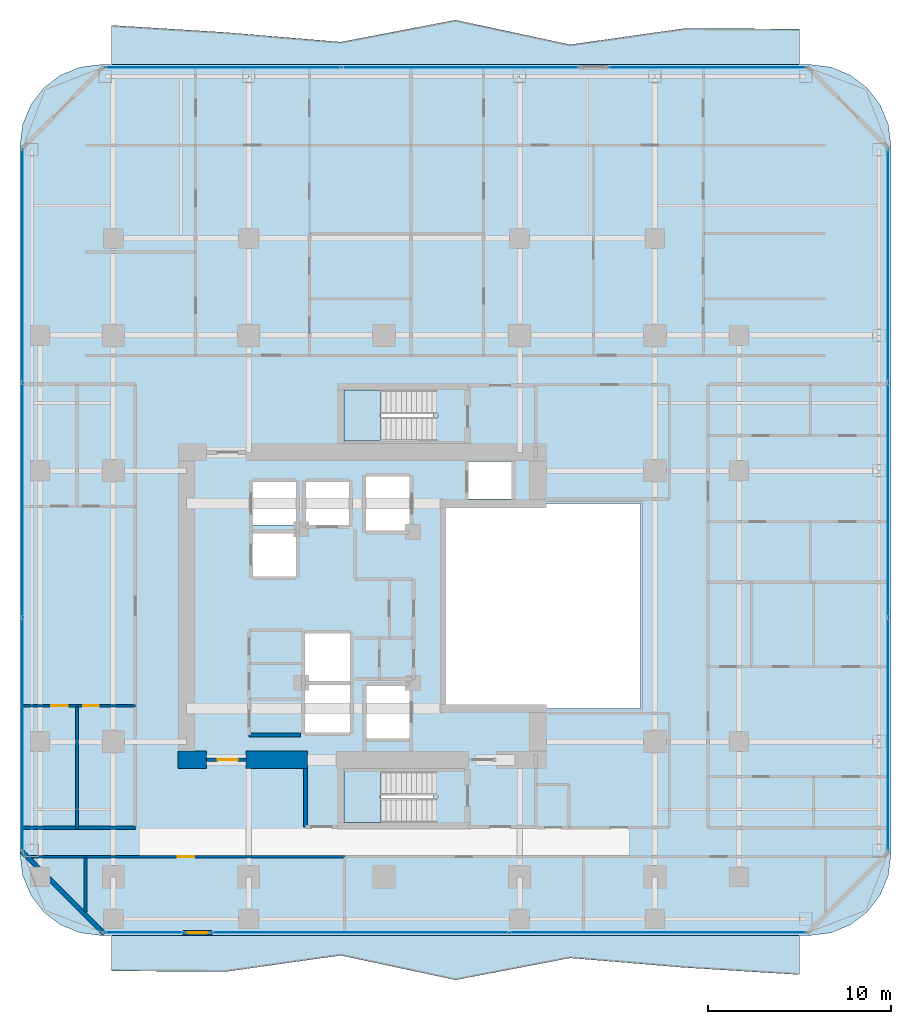
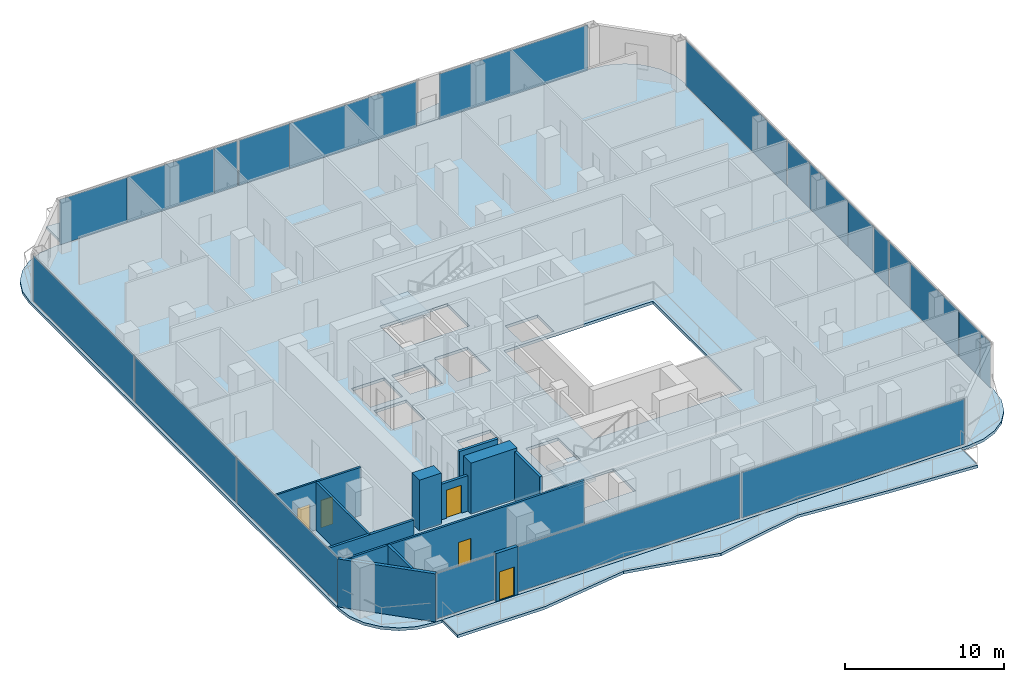
# One storey, part 19 of 27: 21 plates, 13 walls, 5 doors, 5 slabs, 5 openings, 8 elements without a shape of their own.
"""IFC4 building model written with IfcOpenShell, lengths in metres."""

import ifcopenshell
import ifcopenshell.guid

model = None  # the IFC model being written
_history = None  # IfcOwnerHistory: only IFC2X3 demands one
_inside = {}  # id of a spatial element -> (the spatial element, [elements in it])
_under = {}  # id of a project, library or spatial element -> (it, [spatial elements below it])
_declared = {}  # id of a project -> (the project, [libraries it declares])
_typed = {}  # id of a type object -> (the type object, [elements of that type])
_made_of = {}  # id of a material, layer set ... -> (it, [elements and type objects made of it])


def new_model(schema):
    """Start an empty IFC model of exactly this schema.

    Asked for "IFC4X3", IfcOpenShell would pick the latest addendum, in which some entities
    have other attributes; the version numbers below select the first issue.
    IFC2X3 requires an IfcOwnerHistory on every rooted entity: one is made here for all.
    """
    global model, _history
    if schema == "IFC4X3":
        model = ifcopenshell.file(schema_version=(4, 3, 0, 0))
    else:
        model = ifcopenshell.file(schema=schema)
    _inside.clear()
    _under.clear()
    _declared.clear()
    _typed.clear()
    _made_of.clear()
    _history = None
    if model.schema == "IFC2X3":
        org = make("IfcOrganization", Name="unknown")
        user = make(
            "IfcPersonAndOrganization",
            ThePerson=make("IfcPerson", FamilyName="unknown"),
            TheOrganization=org,
        )
        app = make(
            "IfcApplication",
            ApplicationDeveloper=org,
            Version="unknown",
            ApplicationFullName="unknown",
            ApplicationIdentifier="unknown",
        )
        _history = make(
            "IfcOwnerHistory",
            OwningUser=user,
            OwningApplication=app,
            ChangeAction="ADDED",
            CreationDate=0,
        )
    return model


def make(cls, **values):
    """One entity of the class cls with the attributes given. An attribute that is None is left unset."""
    return model.create_entity(
        cls, **{name: value for name, value in values.items() if value is not None}
    )


def rooted(cls, **values):
    """An entity with a GlobalId (a new one), such as an element, a storey or a relation."""
    return make(cls, GlobalId=ifcopenshell.guid.new(), OwnerHistory=_history, **values)


def si_unit(unit_type, name, prefix=None):
    """IfcSIUnit, for example si_unit("LENGTHUNIT", "METRE", prefix="MILLI")."""
    return make("IfcSIUnit", UnitType=unit_type, Prefix=prefix, Name=name)


def assignment(units):
    """IfcUnitAssignment: the units of a project."""
    return None if units is None else make("IfcUnitAssignment", Units=units)


def point(xyz):
    """IfcCartesianPoint."""
    return None if xyz is None else make("IfcCartesianPoint", Coordinates=xyz)


def direction(xyz):
    """IfcDirection."""
    return None if xyz is None else make("IfcDirection", DirectionRatios=xyz)


def frame(location, z_axis=None, x_axis=None):
    """IfcAxis2Placement3D, a coordinate frame: its origin and axes. An axis left out is left unset."""
    return make(
        "IfcAxis2Placement3D",
        Location=point(location),
        Axis=direction(z_axis),
        RefDirection=direction(x_axis),
    )


def frame_2d(location, x_axis=None):
    """IfcAxis2Placement2D, a coordinate frame in the plane: its origin and x axis."""
    return make(
        "IfcAxis2Placement2D", Location=point(location), RefDirection=direction(x_axis)
    )


def origin():
    """The frame at (0, 0, 0) with its axes left unset."""
    return frame((0.0, 0.0, 0.0))


def origin_2d():
    """The frame at (0, 0) in the plane with its x axis left unset."""
    return frame_2d((0.0, 0.0))


def place(relative_to, where):
    """IfcLocalPlacement: puts the frame where relative to a parent placement (None: the world)."""
    return make(
        "IfcLocalPlacement", PlacementRelTo=relative_to, RelativePlacement=where
    )


def context(
    kind, dimensions, precision=None, world=None, true_north=None, identifier=None
):
    """IfcGeometricRepresentationContext, for example the 3D "Model" context."""
    return make(
        "IfcGeometricRepresentationContext",
        ContextIdentifier=identifier,
        ContextType=kind,
        CoordinateSpaceDimension=dimensions,
        Precision=precision,
        WorldCoordinateSystem=world,
        TrueNorth=true_north,
    )


def subcontext(parent, identifier, kind, view, scale=None):
    """IfcGeometricRepresentationSubContext, for example "Body" below "Model"."""
    return make(
        "IfcGeometricRepresentationSubContext",
        ContextIdentifier=identifier,
        ContextType=kind,
        ParentContext=parent,
        TargetScale=scale,
        TargetView=view,
    )


def project(units=None, contexts=None):
    """IfcProject with its units and contexts."""
    return rooted(
        "IfcProject",
        Name="project",
        RepresentationContexts=contexts,
        UnitsInContext=assignment(units),
    )


def spatial(cls, under=None, at=None, **own):
    """A site, building, storey or space (cls), placed at a placement, below another one or the project."""
    s = rooted(cls, ObjectPlacement=at, **own)
    if under is not None:
        _under.setdefault(under.id(), (under, []))[1].append(s)
    return s


def polyline(points):
    """IfcPolyline through the points."""
    return make("IfcPolyline", Points=[point(p) for p in points])


def profile(cls, at=None, kind="AREA", **sizes):
    """A parametric profile (cls). Its sizes go by their IFC names, for example OverallWidth=200.0."""
    return make(cls, ProfileType=kind, Position=at, **sizes)


def rectangle(**sizes):
    """IfcRectangleProfileDef."""
    return profile("IfcRectangleProfileDef", **sizes)


def outline(outer, holes=None, kind="AREA"):
    """IfcArbitraryClosedProfileDef: a profile drawn as a closed curve; with holes, ...WithVoids."""
    if holes is None:
        return make("IfcArbitraryClosedProfileDef", ProfileType=kind, OuterCurve=outer)
    return make(
        "IfcArbitraryProfileDefWithVoids",
        ProfileType=kind,
        OuterCurve=outer,
        InnerCurves=holes,
    )


def extrude(swept, where, along, depth):
    """IfcExtrudedAreaSolid: the profile swept, set in the frame where, extruded along a direction by depth."""
    return make(
        "IfcExtrudedAreaSolid",
        SweptArea=swept,
        Position=where,
        ExtrudedDirection=direction(along),
        Depth=depth,
    )


def shape(context_of_items, identifier, shape_type, items):
    """IfcShapeRepresentation: the items that make up one representation, for example the "Body"."""
    return make(
        "IfcShapeRepresentation",
        ContextOfItems=context_of_items,
        RepresentationIdentifier=identifier,
        RepresentationType=shape_type,
        Items=items,
    )


def material(Name=None, Category=None):
    """IfcMaterial."""
    return make("IfcMaterial", Name=Name, Category=Category)


def layer(
    of_material, thickness, ventilated=None, Name=None, Category=None, Priority=None
):
    """IfcMaterialLayer: one layer of a wall or slab, of a material (None: an air gap)."""
    return make(
        "IfcMaterialLayer",
        Material=of_material,
        LayerThickness=thickness,
        IsVentilated=ventilated,
        Name=Name,
        Category=Category,
        Priority=Priority,
    )


def layer_set(layers, Name=None):
    """IfcMaterialLayerSet."""
    return make("IfcMaterialLayerSet", MaterialLayers=layers, LayerSetName=Name)


def made_of(thing, what):
    """Note that an element or type object is made of a material, layer set ...; save() writes the relation."""
    if what is not None:
        _made_of.setdefault(what.id(), (what, []))[1].append(thing)
    return thing


def type_object(cls, material=None, **own):
    """A type object (cls), such as IfcWallType, which elements share."""
    return made_of(rooted(cls, **own), material)


def element(
    cls,
    number,
    at=None,
    inside=None,
    cuts=None,
    type_object=None,
    material=None,
    context=None,
    identifier="Body",
    shape_type=None,
    held_by="IfcProductDefinitionShape",
    body=None,
    shapes=None,
    **own,
):
    """One element of the class cls, such as IfcWall. Its Tag is "e" and its number.

    at: its placement. inside: the storey or other place that contains it. cuts: it is an
    opening in that element (IfcRelVoidsElement). A single representation is given by context,
    identifier, shape_type and body (its items); several are given by shapes. held_by: the class
    of the entity that holds the representations. save() writes the other relations.
    """
    e = rooted(cls, Tag="e%d" % number, ObjectPlacement=at, **own)
    if body is not None:
        shapes = [shape(context, identifier, shape_type, body)]
    if shapes is not None:
        e.Representation = make(held_by, Representations=shapes)
    if inside is not None:
        _inside.setdefault(inside.id(), (inside, []))[1].append(e)
    if cuts is not None:
        rooted(
            "IfcRelVoidsElement", RelatingBuildingElement=cuts, RelatedOpeningElement=e
        )
    if type_object is not None:
        _typed.setdefault(type_object.id(), (type_object, []))[1].append(e)
    return made_of(e, material)


def fill(opening, filler):
    """IfcRelFillsElement: the door or window that sits in an opening."""
    return rooted(
        "IfcRelFillsElement",
        RelatingOpeningElement=opening,
        RelatedBuildingElement=filler,
    )


def aggregate(whole, parts):
    """IfcRelAggregates: a whole, such as a stair, and the parts it consists of."""
    return rooted("IfcRelAggregates", RelatingObject=whole, RelatedObjects=parts)


def save(model, path):
    """Write the relations noted so far, then the file.

    IfcRelAggregates (storeys below a building ...), IfcRelContainedInSpatialStructure (elements
    in a storey), IfcRelDefinesByType, IfcRelAssociatesMaterial and IfcRelDeclares: one each for
    every whole, place, type object, material and project.
    """
    for whole, parts in _under.values():
        aggregate(whole, parts)
    for where, things in _inside.values():
        rooted(
            "IfcRelContainedInSpatialStructure",
            RelatedElements=things,
            RelatingStructure=where,
        )
    for kind, things in _typed.values():
        rooted("IfcRelDefinesByType", RelatedObjects=things, RelatingType=kind)
    for what, things in _made_of.values():
        rooted("IfcRelAssociatesMaterial", RelatedObjects=things, RelatingMaterial=what)
    for by, libraries in _declared.values():
        rooted("IfcRelDeclares", RelatingContext=by, RelatedDefinitions=libraries)
    model.write(path)


model = new_model("IFC4")

# Units and contexts
model_context = context("Model", 3, precision=1e-05, world=origin(), true_north=direction((0.0, 1.0)))
body_context = subcontext(model_context, "Body", "Model", "MODEL_VIEW")
ifc_project = project(units=[si_unit("LENGTHUNIT", "METRE"), si_unit("AREAUNIT", "SQUARE_METRE"), si_unit("VOLUMEUNIT", "CUBIC_METRE"), si_unit("PLANEANGLEUNIT", "RADIAN"), si_unit("MASSUNIT", "GRAM", prefix="KILO")], contexts=[model_context])

# Site, building, storey
site_placement = place(None, origin())
site = spatial("IfcSite", under=ifc_project, at=site_placement, CompositionType="ELEMENT")
building_placement = place(site_placement, origin())
building = spatial("IfcBuilding", under=site, at=building_placement, Name="Khorvyn Point Tower", CompositionType="ELEMENT")
storey_placement = place(building_placement, frame((0.0, 0.0, 125.10009765625)))
storey = spatial("IfcBuildingStorey", under=building, at=storey_placement, Name="L31", CompositionType="ELEMENT", Elevation=125.10009765625)

# Slabs
ifc_material_1 = material(Name="Concrete C35/45", Category="concrete")
ifc_layer_1 = layer(ifc_material_1, 0.219970703125)
ifc_layer_set_1 = layer_set([ifc_layer_1], Name="Concrete C35/45 Structural Floor Slab 220")
slab_type_1 = type_object("IfcSlabType", Name="Concrete C35/45 Structural Floor Slab 220", PredefinedType="FLOOR", material=ifc_layer_set_1)
slab_1_placement = place(storey_placement, frame((0.0, 0.0, -0.22021484375)))
element("IfcSlab", 1, at=slab_1_placement, inside=storey, type_object=slab_type_1, Name="L31 Main Structural Floor Slab", PredefinedType="FLOOR", context=body_context, shape_type="SweptSolid", body=[
    extrude(outline(polyline([(-15.5, -18.0), (-16.638916015625, -17.85009765625), (-17.699951171875, -17.410400390625), (-18.611328125, -16.711181640625), (-19.310546875, -15.800048828125), (-19.75, -14.73876953125), (-19.89990234375, -13.60009765625), (-19.89990234375, 25.199951171875), (-19.75, 26.3388671875), (-19.310546875, 27.39990234375), (-18.611328125, 28.311279296875), (-17.699951171875, 29.010498046875), (-16.638916015625, 29.4501953125), (-15.5, 29.60009765625), (23.300048828125, 29.60009765625), (24.438720703125, 29.4501953125), (25.5, 29.010498046875), (26.411376953125, 28.311279296875), (27.110595703125, 27.39990234375), (27.550048828125, 26.3388671875), (27.699951171875, 25.199951171875), (27.699951171875, -13.60009765625), (27.550048828125, -14.73876953125), (27.110595703125, -15.800048828125), (26.411376953125, -16.711181640625), (25.5, -17.410400390625), (24.438720703125, -17.85009765625), (23.300048828125, -18.0), (-15.5, -18.0)]), holes=[polyline([(-1.875, -6.89990234375), (-1.875, -4.300048828125), (-4.324951171875, -4.300048828125), (-4.324951171875, -6.89990234375), (-1.875, -6.89990234375)]), polyline([(-1.875, -4.10009765625), (-1.875, -1.5), (-4.324951171875, -1.5), (-4.324951171875, -4.10009765625), (-1.875, -4.10009765625)]), polyline([(-4.824951171875, 1.625), (-4.824951171875, 3.97509765625), (-7.175048828125, 3.97509765625), (-7.175048828125, 1.625), (-4.824951171875, 1.625)]), polyline([(-7.175048828125, 4.425048828125), (-4.824951171875, 4.425048828125), (-4.824951171875, 6.77490234375), (-7.175048828125, 6.77490234375), (-7.175048828125, 4.425048828125)]), polyline([(-4.27490234375, 4.425048828125), (-1.925048828125, 4.425048828125), (-1.925048828125, 6.77490234375), (-4.27490234375, 6.77490234375), (-4.27490234375, 4.425048828125)]), polyline([(1.39990234375, 4.125), (1.39990234375, 7.074951171875), (-1.0, 7.074951171875), (-1.0, 4.125), (1.39990234375, 4.125)]), polyline([(-2.199951171875, -11.820068359375), (2.679931640625, -11.820068359375), (2.679931640625, -9.02001953125), (-2.199951171875, -9.02001953125), (-2.199951171875, -11.820068359375)]), polyline([(-0.97509765625, -7.22509765625), (1.375, -7.22509765625), (1.375, -4.375), (-0.97509765625, -4.375), (-0.97509765625, -7.22509765625)]), polyline([(14.0, -5.60009765625), (14.0, 5.60009765625), (3.199951171875, 5.60009765625), (3.199951171875, -5.60009765625), (14.0, -5.60009765625)]), polyline([(4.625, 5.85009765625), (6.97509765625, 5.85009765625), (6.97509765625, 7.905029296875), (4.625, 7.905029296875), (4.625, 5.85009765625)]), polyline([(-2.199951171875, 9.02001953125), (2.679931640625, 9.02001953125), (2.679931640625, 11.820068359375), (-2.199951171875, 11.820068359375), (-2.199951171875, 9.02001953125)])]), origin(), (0.0, 0.0, 1.0), 0.22021484375),
])
ifc_material_2 = material(Name="Concrete C40/50", Category="concrete")
ifc_layer_2 = layer(ifc_material_2, 0.2099609375)
ifc_layer_set_2 = layer_set([ifc_layer_2], Name="Concrete C40/50 Rippling Balcony Slab 210")
slab_type_2 = type_object("IfcSlabType", Name="Concrete C40/50 Rippling Balcony Slab 210", PredefinedType="USERDEFINED", material=ifc_layer_set_2)
slab_2_placement = place(storey_placement, frame((0.0, 0.0, -0.210205078125)))
element("IfcSlab", 2, at=slab_2_placement, inside=storey, type_object=slab_type_2, Name="L31 North Sinusoidal Rippling Balcony", ObjectType="BALCONY", PredefinedType="USERDEFINED", context=body_context, shape_type="SweptSolid", body=[
    extrude(outline(polyline([(22.699951171875, 29.60009765625), (22.699951171875, 31.54150390625), (16.433349609375, 31.577392578125), (10.166748046875, 30.689697265625), (3.89990234375, 32.03369140625), (-2.36669921875, 30.83251953125), (-8.63330078125, 31.35546875), (-14.89990234375, 31.74365234375), (-14.89990234375, 29.60009765625), (22.699951171875, 29.60009765625)])), origin(), (0.0, 0.0, 1.0), 0.210205078125),
])
slab_3_placement = place(storey_placement, frame((0.0, 0.0, -0.210205078125)))
element("IfcSlab", 3, at=slab_3_placement, inside=storey, type_object=slab_type_2, Name="L31 South Sinusoidal Rippling Balcony", ObjectType="BALCONY", PredefinedType="USERDEFINED", context=body_context, shape_type="SweptSolid", body=[
    extrude(outline(polyline([(-14.89990234375, -18.0), (-14.89990234375, -19.94140625), (-8.63330078125, -19.977294921875), (-2.36669921875, -19.089599609375), (3.89990234375, -20.43359375), (10.166748046875, -19.232421875), (16.433349609375, -19.75537109375), (22.699951171875, -20.1435546875), (22.699951171875, -18.0), (-14.89990234375, -18.0)])), origin(), (0.0, 0.0, 1.0), 0.210205078125),
])

# Stair, slab
stair_type = type_object("IfcStairType", Name="Tower Concrete C40/50 Dogleg Exit Stair", PredefinedType="HALF_TURN_STAIR", material=ifc_material_2)
stair_1_placement = place(storey_placement, origin())
stair_1 = element("IfcStair", 4, at=stair_1_placement, inside=storey, type_object=stair_type, Name="L31 Tower Smokeproof Exit Stair South", PredefinedType="HALF_TURN_STAIR")
ifc_layer_3 = layer(ifc_material_2, 0.199951171875)
ifc_layer_set_3 = layer_set([ifc_layer_3], Name="Concrete C40/50 Stair Landing Slab 200")
slab_type_3 = type_object("IfcSlabType", Name="Concrete C40/50 Stair Landing Slab 200", PredefinedType="LANDING", material=ifc_layer_set_3)
slab_4_placement = place(storey_placement, frame((0.0, 0.0, 1.75)))
slab_4 = element("IfcSlab", 5, at=slab_4_placement, type_object=slab_type_3, Name="ST-01 landing 1", PredefinedType="LANDING", context=body_context, shape_type="SweptSolid", body=[
    extrude(outline(polyline([(-0.179931640625, -9.02001953125), (-2.199951171875, -9.02001953125), (-2.199951171875, -11.820068359375), (-0.179931640625, -11.820068359375), (-0.179931640625, -9.02001953125)])), origin(), (0.0, 0.0, 1.0), 0.199951171875),
])
aggregate(stair_1, [slab_4])

stair_2_placement = place(storey_placement, origin())
stair_2 = element("IfcStair", 6, at=stair_2_placement, inside=storey, type_object=stair_type, Name="L31 Tower Smokeproof Exit Stair North", PredefinedType="HALF_TURN_STAIR")
slab_5_placement = place(storey_placement, frame((0.0, 0.0, 1.75)))
slab_5 = element("IfcSlab", 7, at=slab_5_placement, type_object=slab_type_3, Name="ST-02 landing 1", PredefinedType="LANDING", context=body_context, shape_type="SweptSolid", body=[
    extrude(outline(polyline([(-0.179931640625, 11.820068359375), (-2.199951171875, 11.820068359375), (-2.199951171875, 9.02001953125), (-0.179931640625, 9.02001953125), (-0.179931640625, 11.820068359375)])), origin(), (0.0, 0.0, 1.0), 0.199951171875),
])
aggregate(stair_2, [slab_5])

# Curtain wall, plates
ifc_material_3 = material(Name="Anodised aluminium 6063-T6 and laminated Low-E glass", Category="aluminium")
ifc_layer_4 = layer(ifc_material_3, 0.18994140625)
ifc_layer_set_4 = layer_set([ifc_layer_4], Name="Stick-Built Acoustic Curtain Wall CW-SYS-03")
curtain_wall_type = type_object("IfcCurtainWallType", Name="Stick-Built Acoustic Curtain Wall CW-SYS-03", PredefinedType="NOTDEFINED", material=ifc_layer_set_4)
curtain_wall_1_placement = place(storey_placement, origin())
curtain_wall_1 = element("IfcCurtainWall", 8, at=curtain_wall_1_placement, inside=storey, type_object=curtain_wall_type, Name="Curtain Wall", PredefinedType="NOTDEFINED")
ifc_material_4 = material(Name="Laminated Low-E insulated glass", Category="glass")
ifc_layer_5 = layer(ifc_material_4, 0.028076171875)
ifc_layer_set_5 = layer_set([ifc_layer_5], Name="Tempered Low-E Vision Glazing Panel CW-GL28")
plate_type = type_object("IfcPlateType", Name="Tempered Low-E Vision Glazing Panel CW-GL28", PredefinedType="CURTAIN_PANEL", material=ifc_layer_set_5)
plate_1_placement = place(storey_placement, frame((14.96923828125, -17.85009765625, 0.099853515625), z_axis=(0.0, 0.0, 1.0), x_axis=(-1.0, 0.0, 0.0)))
plate_1 = element("IfcPlate", 9, at=plate_1_placement, type_object=plate_type, Name="Panel", PredefinedType="CURTAIN_PANEL", context=body_context, shape_type="SweptSolid", body=[
    extrude(rectangle(XDim=16.16162109375, YDim=0.028076171875, at=origin_2d()), origin(), (0.0, 0.0, 1.0), 3.47998046875),
])
plate_2_placement = place(storey_placement, frame((-1.292236328125, -17.85009765625, 0.099853515625), z_axis=(0.0, 0.0, 1.0), x_axis=(-1.0, 0.0, 0.0)))
plate_2 = element("IfcPlate", 10, at=plate_2_placement, type_object=plate_type, Name="Panel", PredefinedType="CURTAIN_PANEL", context=body_context, shape_type="SweptSolid", body=[
    extrude(rectangle(XDim=16.16162109375, YDim=0.028076171875, at=origin_2d()), origin(), (0.0, 0.0, 1.0), 3.47998046875),
])
aggregate(curtain_wall_1, [plate_1, plate_2])

# Curtain wall, plate
curtain_wall_2_placement = place(storey_placement, origin())
curtain_wall_2 = element("IfcCurtainWall", 11, at=curtain_wall_2_placement, inside=storey, type_object=curtain_wall_type, Name="Curtain Wall", PredefinedType="NOTDEFINED")
plate_3_placement = place(storey_placement, frame((-13.131591796875, -17.85009765625, 0.099853515625), z_axis=(0.0, 0.0, 1.0), x_axis=(-1.0, 0.0, 0.0)))
plate_3 = element("IfcPlate", 12, at=plate_3_placement, type_object=plate_type, Name="Panel", PredefinedType="CURTAIN_PANEL", context=body_context, shape_type="SweptSolid", body=[
    extrude(rectangle(XDim=4.237060546875, YDim=0.028076171875, at=origin_2d()), origin(), (0.0, 0.0, 1.0), 3.47998046875),
])
aggregate(curtain_wall_2, [plate_3])

# Curtain wall, plates
curtain_wall_3_placement = place(storey_placement, origin())
curtain_wall_3 = element("IfcCurtainWall", 13, at=curtain_wall_3_placement, inside=storey, type_object=curtain_wall_type, Name="Curtain Wall", PredefinedType="NOTDEFINED")
plate_4_placement = place(storey_placement, frame((-12.80810546875, 29.449951171875, 0.099853515625), z_axis=(0.0, 0.0, 1.0), x_axis=(1.0, 0.0, 0.0)))
plate_4 = element("IfcPlate", 14, at=plate_4_placement, type_object=plate_type, Name="Panel", PredefinedType="CURTAIN_PANEL", context=body_context, shape_type="SweptSolid", body=[
    extrude(rectangle(XDim=4.8759765625, YDim=0.028076171875, at=origin_2d()), origin(), (0.0, 0.0, 1.0), 3.47998046875),
])
plate_5_placement = place(storey_placement, frame((-7.19189453125, 29.449951171875, 0.099853515625), z_axis=(0.0, 0.0, 1.0), x_axis=(1.0, 0.0, 0.0)))
plate_5 = element("IfcPlate", 15, at=plate_5_placement, type_object=plate_type, Name="Panel", PredefinedType="CURTAIN_PANEL", context=body_context, shape_type="SweptSolid", body=[
    extrude(rectangle(XDim=6.340087890625, YDim=0.028076171875, at=origin_2d()), origin(), (0.0, 0.0, 1.0), 3.47998046875),
])
plate_6_placement = place(storey_placement, frame((-3.1904296875, 29.449951171875, 0.099853515625), z_axis=(0.0, 0.0, 1.0), x_axis=(1.0, 0.0, 0.0)))
plate_6 = element("IfcPlate", 16, at=plate_6_placement, type_object=plate_type, Name="Panel", PredefinedType="CURTAIN_PANEL", context=body_context, shape_type="SweptSolid", body=[
    extrude(rectangle(XDim=1.64697265625, YDim=0.028076171875, at=origin_2d()), origin(), (0.0, 0.0, 1.0), 3.47998046875),
])
plate_7_placement = place(storey_placement, frame((-0.424560546875, 29.449951171875, 0.099853515625), z_axis=(0.0, 0.0, 1.0), x_axis=(1.0, 0.0, 0.0)))
plate_7 = element("IfcPlate", 17, at=plate_7_placement, type_object=plate_type, Name="Panel", PredefinedType="CURTAIN_PANEL", context=body_context, shape_type="SweptSolid", body=[
    extrude(rectangle(XDim=3.6689453125, YDim=0.028076171875, at=origin_2d()), origin(), (0.0, 0.0, 1.0), 3.47998046875),
])
plate_8_placement = place(storey_placement, frame((6.01904296875, 29.449951171875, 0.099853515625), z_axis=(0.0, 0.0, 1.0), x_axis=(1.0, 0.0, 0.0)))
plate_8 = element("IfcPlate", 18, at=plate_8_placement, type_object=plate_type, Name="Panel", PredefinedType="CURTAIN_PANEL", context=body_context, shape_type="SweptSolid", body=[
    extrude(rectangle(XDim=9.201904296875, YDim=0.028076171875, at=origin_2d()), origin(), (0.0, 0.0, 1.0), 3.47998046875),
])
aggregate(curtain_wall_3, [plate_4, plate_5, plate_6, plate_7, plate_8])

# Curtain wall, plate
curtain_wall_4_placement = place(storey_placement, origin())
curtain_wall_4 = element("IfcCurtainWall", 19, at=curtain_wall_4_placement, inside=storey, type_object=curtain_wall_type, Name="Curtain Wall", PredefinedType="NOTDEFINED")
plate_9_placement = place(storey_placement, frame((17.656982421875, 29.449951171875, 0.099853515625), z_axis=(0.0, 0.0, 1.0), x_axis=(1.0, 0.0, 0.0)))
plate_9 = element("IfcPlate", 20, at=plate_9_placement, type_object=plate_type, Name="Panel", PredefinedType="CURTAIN_PANEL", context=body_context, shape_type="SweptSolid", body=[
    extrude(rectangle(XDim=10.785888671875, YDim=0.028076171875, at=origin_2d()), origin(), (0.0, 0.0, 1.0), 3.47998046875),
])
aggregate(curtain_wall_4, [plate_9])

# Curtain wall, plates
curtain_wall_5_placement = place(storey_placement, origin())
curtain_wall_5 = element("IfcCurtainWall", 21, at=curtain_wall_5_placement, inside=storey, type_object=curtain_wall_type, Name="Curtain Wall", PredefinedType="NOTDEFINED")
plate_10_placement = place(storey_placement, frame((-19.75, -7.00830078125, 0.099853515625), z_axis=(0.0, 0.0, 1.0), x_axis=(0.0, 1.0, 0.0)))
plate_10 = element("IfcPlate", 22, at=plate_10_placement, type_object=plate_type, Name="Panel", PredefinedType="CURTAIN_PANEL", context=body_context, shape_type="SweptSolid", body=[
    extrude(rectangle(XDim=12.683349609375, YDim=0.028076171875, at=origin_2d()), origin(), (0.0, 0.0, 1.0), 3.47998046875),
])
plate_11_placement = place(storey_placement, frame((-19.75, 5.800048828125, 0.099853515625), z_axis=(0.0, 0.0, 1.0), x_axis=(0.0, 1.0, 0.0)))
plate_11 = element("IfcPlate", 23, at=plate_11_placement, type_object=plate_type, Name="Panel", PredefinedType="CURTAIN_PANEL", context=body_context, shape_type="SweptSolid", body=[
    extrude(rectangle(XDim=12.7333984375, YDim=0.028076171875, at=origin_2d()), origin(), (0.0, 0.0, 1.0), 3.47998046875),
])
plate_12_placement = place(storey_placement, frame((-19.75, 18.6083984375, 0.099853515625), z_axis=(0.0, 0.0, 1.0), x_axis=(0.0, 1.0, 0.0)))
plate_12 = element("IfcPlate", 24, at=plate_12_placement, type_object=plate_type, Name="Panel", PredefinedType="CURTAIN_PANEL", context=body_context, shape_type="SweptSolid", body=[
    extrude(rectangle(XDim=12.683349609375, YDim=0.028076171875, at=origin_2d()), origin(), (0.0, 0.0, 1.0), 3.47998046875),
])
aggregate(curtain_wall_5, [plate_10, plate_11, plate_12])

curtain_wall_6_placement = place(storey_placement, origin())
curtain_wall_6 = element("IfcCurtainWall", 25, at=curtain_wall_6_placement, inside=storey, type_object=curtain_wall_type, Name="Curtain Wall", PredefinedType="NOTDEFINED")
plate_13_placement = place(storey_placement, frame((27.550048828125, 18.6083984375, 0.099853515625), z_axis=(0.0, 0.0, 1.0), x_axis=(0.0, -1.0, 0.0)))
plate_13 = element("IfcPlate", 26, at=plate_13_placement, type_object=plate_type, Name="Panel", PredefinedType="CURTAIN_PANEL", context=body_context, shape_type="SweptSolid", body=[
    extrude(rectangle(XDim=12.683349609375, YDim=0.028076171875, at=origin_2d()), origin(), (0.0, 0.0, 1.0), 3.47998046875),
])
plate_14_placement = place(storey_placement, frame((27.550048828125, 0.34130859375, 0.099853515625), z_axis=(0.0, 0.0, 1.0), x_axis=(0.0, -1.0, 0.0)))
plate_14 = element("IfcPlate", 27, at=plate_14_placement, type_object=plate_type, Name="Panel", PredefinedType="CURTAIN_PANEL", context=body_context, shape_type="SweptSolid", body=[
    extrude(rectangle(XDim=1.8076171875, YDim=0.028076171875, at=origin_2d()), origin(), (0.0, 0.0, 1.0), 3.47998046875),
])
plate_15_placement = place(storey_placement, frame((27.550048828125, 2.96044921875, 0.099853515625), z_axis=(0.0, 0.0, 1.0), x_axis=(0.0, -1.0, 0.0)))
plate_15 = element("IfcPlate", 28, at=plate_15_placement, type_object=plate_type, Name="Panel", PredefinedType="CURTAIN_PANEL", context=body_context, shape_type="SweptSolid", body=[
    extrude(rectangle(XDim=3.175048828125, YDim=0.028076171875, at=origin_2d()), origin(), (0.0, 0.0, 1.0), 3.47998046875),
])
plate_16_placement = place(storey_placement, frame((27.550048828125, 6.966064453125, 0.099853515625), z_axis=(0.0, 0.0, 1.0), x_axis=(0.0, -1.0, 0.0)))
plate_16 = element("IfcPlate", 29, at=plate_16_placement, type_object=plate_type, Name="Panel", PredefinedType="CURTAIN_PANEL", context=body_context, shape_type="SweptSolid", body=[
    extrude(rectangle(XDim=4.820068359375, YDim=0.028076171875, at=origin_2d()), origin(), (0.0, 0.0, 1.0), 3.47998046875),
])
plate_17_placement = place(storey_placement, frame((27.550048828125, 10.773193359375, 0.099853515625), z_axis=(0.0, 0.0, 1.0), x_axis=(0.0, -1.0, 0.0)))
plate_17 = element("IfcPlate", 30, at=plate_17_placement, type_object=plate_type, Name="Panel", PredefinedType="CURTAIN_PANEL", context=body_context, shape_type="SweptSolid", body=[
    extrude(rectangle(XDim=2.77880859375, YDim=0.028076171875, at=origin_2d()), origin(), (0.0, 0.0, 1.0), 3.47998046875),
])
plate_18_placement = place(storey_placement, frame((27.550048828125, -12.705078125, 0.099853515625), z_axis=(0.0, 0.0, 1.0), x_axis=(0.0, -1.0, 0.0)))
plate_18 = element("IfcPlate", 31, at=plate_18_placement, type_object=plate_type, Name="Panel", PredefinedType="CURTAIN_PANEL", context=body_context, shape_type="SweptSolid", body=[
    extrude(rectangle(XDim=1.281982421875, YDim=0.028076171875, at=origin_2d()), origin(), (0.0, 0.0, 1.0), 3.47998046875),
])
plate_19_placement = place(storey_placement, frame((27.550048828125, -10.719970703125, 0.099853515625), z_axis=(0.0, 0.0, 1.0), x_axis=(0.0, -1.0, 0.0)))
plate_19 = element("IfcPlate", 32, at=plate_19_placement, type_object=plate_type, Name="Panel", PredefinedType="CURTAIN_PANEL", context=body_context, shape_type="SweptSolid", body=[
    extrude(rectangle(XDim=2.672119140625, YDim=0.028076171875, at=origin_2d()), origin(), (0.0, 0.0, 1.0), 3.47998046875),
])
plate_20_placement = place(storey_placement, frame((27.550048828125, -6.318603515625, 0.099853515625), z_axis=(0.0, 0.0, 1.0), x_axis=(0.0, -1.0, 0.0)))
plate_20 = element("IfcPlate", 33, at=plate_20_placement, type_object=plate_type, Name="Panel", PredefinedType="CURTAIN_PANEL", context=body_context, shape_type="SweptSolid", body=[
    extrude(rectangle(XDim=6.114990234375, YDim=0.028076171875, at=origin_2d()), origin(), (0.0, 0.0, 1.0), 3.47998046875),
])
plate_21_placement = place(storey_placement, frame((27.550048828125, -1.9619140625, 0.099853515625), z_axis=(0.0, 0.0, 1.0), x_axis=(0.0, -1.0, 0.0)))
plate_21 = element("IfcPlate", 34, at=plate_21_placement, type_object=plate_type, Name="Panel", PredefinedType="CURTAIN_PANEL", context=body_context, shape_type="SweptSolid", body=[
    extrude(rectangle(XDim=2.582275390625, YDim=0.028076171875, at=origin_2d()), origin(), (0.0, 0.0, 1.0), 3.47998046875),
])
aggregate(curtain_wall_6, [plate_13, plate_14, plate_15, plate_16, plate_17, plate_18, plate_19, plate_20, plate_21])

# Walls
ifc_material_5 = material(Name="Double acoustic gypsum on twin steel stud", Category="steel")
ifc_layer_6 = layer(ifc_material_5, 0.179931640625)
ifc_layer_set_6 = layer_set([ifc_layer_6], Name="Acoustic Double-Stud Apartment Demising Wall 180")
wall_type_1 = type_object("IfcWallType", Name="Acoustic Double-Stud Apartment Demising Wall 180", PredefinedType="PARTITIONING", material=ifc_layer_set_6)
wall_1_placement = place(storey_placement, frame((-16.320068359375, -16.7099609375, 0.0), z_axis=(0.0, 0.0, 1.0), x_axis=(0.0, 1.0, 0.0)))
element("IfcWall", 35, at=wall_1_placement, inside=storey, type_object=wall_type_1, Name="Wall", PredefinedType="PARTITIONING", context=body_context, shape_type="SweptSolid", body=[
    extrude(rectangle(XDim=3.010009765625, YDim=0.179931640625, at=frame_2d((1.5048828125, 0.0))), origin(), (0.0, 0.0, 1.0), 3.679931640625),
])
wall_2_placement = place(storey_placement, frame((-19.72998046875, -12.1201171875, 0.0), z_axis=(0.0, 0.0, 1.0), x_axis=(1.0, 0.0, 0.0)))
element("IfcWall", 36, at=wall_2_placement, inside=storey, type_object=wall_type_1, Name="Wall", PredefinedType="PARTITIONING", context=body_context, shape_type="SweptSolid", body=[
    extrude(rectangle(XDim=6.1298828125, YDim=0.179931640625, at=frame_2d((3.06494140625, 0.0))), origin(), (0.0, 0.0, 1.0), 3.679931640625),
])

# Wall, opening, door
ifc_material_6 = material(Name="Pale anodised aluminium rainscreen on steel stud", Category="steel")
ifc_layer_7 = layer(ifc_material_6, 0.239990234375)
ifc_layer_set_7 = layer_set([ifc_layer_7], Name="Anodised Aluminium Insulated Corner Spandrel Wall 240")
wall_type_2 = type_object("IfcWallType", Name="Anodised Aluminium Insulated Corner Spandrel Wall 240", PredefinedType="SOLIDWALL", material=ifc_layer_set_7)
wall_3_placement = place(storey_placement, frame((-9.403076171875, -17.85009765625, 0.0), z_axis=(0.0, 0.0, 1.0), x_axis=(-1.0, 0.0, 0.0)))
wall_3 = element("IfcWall", 37, at=wall_3_placement, inside=storey, type_object=wall_type_2, Name="L31 South Outdoor Threshold Wall", PredefinedType="SOLIDWALL", context=body_context, shape_type="SweptSolid", body=[
    extrude(rectangle(XDim=1.579833984375, YDim=0.239990234375, at=frame_2d((0.7900390625, 0.0))), origin(), (0.0, 0.0, 1.0), 3.679931640625),
])
opening_1_placement = place(wall_3_placement, frame((0.239990234375, 0.0, 0.0)))
opening_1 = element("IfcOpeningElement", 38, at=opening_1_placement, cuts=wall_3, Name="Opening BD-1122", PredefinedType="OPENING", context=body_context, shape_type="SweptSolid", body=[
    extrude(rectangle(XDim=1.10009765625, YDim=2.199951171875, at=frame_2d((0.550048828125, 1.10009765625))), frame((0.0, 0.1298828125, 0.0), z_axis=(0.0, -1.0, 0.0), x_axis=(1.0, 0.0, 0.0)), (0.0, 0.0, 1.0), 0.260009765625),
])
door_type_1 = type_object("IfcDoorType", Name="Glazed Balcony and Terrace Threshold Door 1100x2200", OperationType="NOTDEFINED", PredefinedType="DOOR", material=ifc_material_3)
door_1_placement = place(opening_1_placement, origin())
door_1 = element("IfcDoor", 39, at=door_1_placement, inside=storey, type_object=door_type_1, Name="L31 South Glazed Balcony Outdoor Door", OperationType="SINGLE_SWING_RIGHT", OverallHeight=2.199951171875, OverallWidth=1.10009765625, PredefinedType="DOOR", context=body_context, shape_type="SweptSolid", body=[
    extrude(rectangle(XDim=1.10009765625, YDim=2.199951171875, at=frame_2d((0.550048828125, 1.10009765625))), frame((0.0, 0.02490234375, 0.0), z_axis=(0.0, -1.0, 0.0), x_axis=(1.0, 0.0, 0.0)), (0.0, 0.0, 1.0), 0.050048828125),
])
fill(opening_1, door_1)

# Wall
wall_4_placement = place(storey_placement, frame((-15.3076171875, -17.892333984375, 0.0), z_axis=(0.0, 0.0, 1.0), x_axis=(-0.707126027686, 0.707087534163, 0.0)))
element("IfcWall", 40, at=wall_4_placement, inside=storey, type_object=wall_type_2, Name="L31 Rounded Corner Wall SW", PredefinedType="SOLIDWALL", context=body_context, shape_type="SweptSolid", body=[
    extrude(rectangle(XDim=6.34228515625, YDim=0.239990234375, at=frame_2d((3.171142578125, 0.0))), origin(), (0.0, 0.0, 1.0), 3.679931640625),
])

# Wall, opening, door
ifc_layer_8 = layer(ifc_material_2, 0.199951171875)
ifc_layer_set_8 = layer_set([ifc_layer_8], Name="Concrete C40/50 Fire-Lobby Compartment Wall 200")
wall_type_3 = type_object("IfcWallType", Name="Concrete C40/50 Fire-Lobby Compartment Wall 200", PredefinedType="SOLIDWALL", material=ifc_layer_set_8)
wall_5_placement = place(storey_placement, frame((-9.699951171875, -8.39990234375, 0.0), z_axis=(0.0, 0.0, 1.0), x_axis=(1.0, 0.0, 0.0)))
wall_5 = element("IfcWall", 41, at=wall_5_placement, inside=storey, type_object=wall_type_3, Name="Wall", PredefinedType="SOLIDWALL", context=body_context, shape_type="SweptSolid", body=[
    extrude(rectangle(XDim=2.14990234375, YDim=0.199951171875, at=frame_2d((1.074951171875, 0.0))), origin(), (0.0, 0.0, 1.0), 2.719970703125),
])
opening_2_placement = place(wall_5_placement, frame((0.597900390625, 0.0, 0.0)))
opening_2 = element("IfcOpeningElement", 42, at=opening_2_placement, cuts=wall_5, Name="Opening ID-FL90", PredefinedType="OPENING", context=body_context, shape_type="SweptSolid", body=[
    extrude(rectangle(XDim=1.10009765625, YDim=2.14990234375, at=frame_2d((0.550048828125, 1.074951171875))), frame((0.0, 0.10986328125, 0.0), z_axis=(0.0, -1.0, 0.0), x_axis=(1.0, 0.0, 0.0)), (0.0, 0.0, 1.0), 0.219970703125),
])
ifc_material_7 = material(Name="Galvanised powder-coated steel", Category="steel")
door_type_2 = type_object("IfcDoorType", Name="Fire-Rated Steel Lobby and Stair Door 1100x2150", OperationType="NOTDEFINED", PredefinedType="DOOR", material=ifc_material_7)
door_2_placement = place(opening_2_placement, origin())
door_2 = element("IfcDoor", 43, at=door_2_placement, inside=storey, type_object=door_type_2, Name="Door", OperationType="SINGLE_SWING_RIGHT", OverallHeight=2.14990234375, OverallWidth=1.10009765625, PredefinedType="DOOR", context=body_context, shape_type="SweptSolid", body=[
    extrude(rectangle(XDim=1.10009765625, YDim=2.14990234375, at=frame_2d((0.550048828125, 1.074951171875))), frame((0.0, 0.02490234375, 0.0), z_axis=(0.0, -1.0, 0.0), x_axis=(1.0, 0.0, 0.0)), (0.0, 0.0, 1.0), 0.050048828125),
])
fill(opening_2, door_2)

# Walls
wall_6_placement = place(storey_placement, frame((-4.300048828125, -12.06005859375, 0.0), z_axis=(0.0, 0.0, 1.0), x_axis=(0.0, 1.0, 0.0)))
element("IfcWall", 44, at=wall_6_placement, inside=storey, type_object=wall_type_3, Name="Wall", PredefinedType="SOLIDWALL", context=body_context, shape_type="SweptSolid", body=[
    extrude(rectangle(XDim=3.18505859375, YDim=0.199951171875, at=frame_2d((1.592529296875, 0.0))), origin(), (0.0, 0.0, 1.0), 3.679931640625),
])
wall_7_placement = place(storey_placement, frame((-7.3798828125, -7.0400390625, 0.0), z_axis=(0.0, 0.0, 1.0), x_axis=(1.0, 0.0, 0.0)))
element("IfcWall", 45, at=wall_7_placement, inside=storey, type_object=wall_type_3, Name="Wall", PredefinedType="SOLIDWALL", context=body_context, shape_type="SweptSolid", body=[
    extrude(rectangle(XDim=2.7998046875, YDim=0.199951171875, at=frame_2d((1.39990234375, 0.0))), origin(), (0.0, 0.0, 1.0), 3.679931640625),
])
ifc_material_8 = material(Name="Concrete C50/60", Category="concrete")
ifc_layer_9 = layer(ifc_material_8, 0.949951171875)
ifc_layer_set_9 = layer_set([ifc_layer_9], Name="Concrete C50/60 Core Shear Wall 950")
wall_type_4 = type_object("IfcWallType", Name="Concrete C50/60 Core Shear Wall 950", PredefinedType="SHEAR", material=ifc_layer_set_9)
wall_8_placement = place(storey_placement, frame((-11.27490234375, -8.39990234375, 0.0), z_axis=(0.0, 0.0, 1.0), x_axis=(1.0, 0.0, 0.0)))
element("IfcWall", 46, at=wall_8_placement, inside=storey, type_object=wall_type_4, Name="Wall", PredefinedType="SHEAR", context=body_context, shape_type="SweptSolid", body=[
    extrude(rectangle(XDim=1.574951171875, YDim=0.949951171875, at=frame_2d((0.78759765625, 0.0))), origin(), (0.0, 0.0, 1.0), 3.89990234375),
])
wall_9_placement = place(storey_placement, frame((-7.550048828125, -8.39990234375, 0.0), z_axis=(0.0, 0.0, 1.0), x_axis=(1.0, 0.0, 0.0)))
element("IfcWall", 47, at=wall_9_placement, inside=storey, type_object=wall_type_4, Name="Wall", PredefinedType="SHEAR", context=body_context, shape_type="SweptSolid", body=[
    extrude(rectangle(XDim=3.35009765625, YDim=0.949951171875, at=frame_2d((1.675048828125, 0.0))), origin(), (0.0, 0.0, 1.0), 3.89990234375),
])

# Wall, opening, door
ifc_material_9 = material(Name="Gypsum plasterboard on steel stud", Category="steel")
ifc_layer_10 = layer(ifc_material_9, 0.1201171875)
ifc_layer_set_10 = layer_set([ifc_layer_10], Name="Gypsum Acoustic Stud Room Partition Wall 120")
wall_type_5 = type_object("IfcWallType", Name="Gypsum Acoustic Stud Room Partition Wall 120", PredefinedType="PARTITIONING", material=ifc_layer_set_10)
wall_10_placement = place(storey_placement, frame((-19.72998046875, -5.448974609375, 0.0), z_axis=(0.0, 0.0, 1.0), x_axis=(1.0, 0.0, 0.0)))
wall_10 = element("IfcWall", 48, at=wall_10_placement, inside=storey, type_object=wall_type_5, Name="Wall", PredefinedType="PARTITIONING", context=body_context, shape_type="SweptSolid", body=[
    extrude(rectangle(XDim=2.946044921875, YDim=0.1201171875, at=frame_2d((1.47314453125, 0.0))), origin(), (0.0, 0.0, 1.0), 3.679931640625),
])
opening_3_placement = place(wall_10_placement, frame((1.540771484375, 0.0, 0.0)))
opening_3 = element("IfcOpeningElement", 49, at=opening_3_placement, cuts=wall_10, Name="Opening ID-RM90", PredefinedType="OPENING", context=body_context, shape_type="SweptSolid", body=[
    extrude(rectangle(XDim=0.89990234375, YDim=2.10009765625, at=frame_2d((0.449951171875, 1.050048828125))), frame((0.0, 0.070068359375, 0.0), z_axis=(0.0, -1.0, 0.0), x_axis=(1.0, 0.0, 0.0)), (0.0, 0.0, 1.0), 0.14013671875),
])
ifc_material_10 = material(Name="Engineered oak veneer timber", Category="wood")
door_type_3 = type_object("IfcDoorType", Name="Flush Engineered Timber Room Door 900x2100", OperationType="NOTDEFINED", PredefinedType="DOOR", material=ifc_material_10)
door_3_placement = place(opening_3_placement, origin())
door_3 = element("IfcDoor", 50, at=door_3_placement, inside=storey, type_object=door_type_3, Name="Door", OperationType="SINGLE_SWING_LEFT", OverallHeight=2.10009765625, OverallWidth=0.89990234375, PredefinedType="DOOR", context=body_context, shape_type="SweptSolid", body=[
    extrude(rectangle(XDim=0.89990234375, YDim=2.10009765625, at=frame_2d((0.449951171875, 1.050048828125))), frame((0.0, 0.02490234375, 0.0), z_axis=(0.0, -1.0, 0.0), x_axis=(1.0, 0.0, 0.0)), (0.0, 0.0, 1.0), 0.050048828125),
])
fill(opening_3, door_3)

ifc_material_11 = material(Name="Moisture-resistant gypsum and cement board", Category="gypsum")
ifc_layer_11 = layer(ifc_material_11, 0.14990234375)
ifc_layer_set_11 = layer_set([ifc_layer_11], Name="Moisture-Resistant Wet-Room Partition Wall 150")
wall_type_6 = type_object("IfcWallType", Name="Moisture-Resistant Wet-Room Partition Wall 150", PredefinedType="PARTITIONING", material=ifc_layer_set_11)
wall_11_placement = place(storey_placement, frame((-19.330078125, -13.699951171875, 0.0), z_axis=(0.0, 0.0, 1.0), x_axis=(1.0, 0.0, 0.0)))
wall_11 = element("IfcWall", 51, at=wall_11_placement, inside=storey, type_object=wall_type_6, Name="Wall", PredefinedType="PARTITIONING", context=body_context, shape_type="SweptSolid", body=[
    extrude(rectangle(XDim=17.18017578125, YDim=0.14990234375, at=frame_2d((8.590087890625, 0.0))), origin(), (0.0, 0.0, 1.0), 3.679931640625),
])
opening_4_placement = place(wall_11_placement, frame((8.05029296875, 0.0, 0.0)))
opening_4 = element("IfcOpeningElement", 52, at=opening_4_placement, cuts=wall_11, Name="Opening ID-RM90", PredefinedType="OPENING", context=body_context, shape_type="SweptSolid", body=[
    extrude(rectangle(XDim=0.89990234375, YDim=2.10009765625, at=frame_2d((0.449951171875, 1.050048828125))), frame((0.0, 0.0849609375, 0.0), z_axis=(0.0, -1.0, 0.0), x_axis=(1.0, 0.0, 0.0)), (0.0, 0.0, 1.0), 0.169921875),
])
door_4_placement = place(opening_4_placement, origin())
door_4 = element("IfcDoor", 53, at=door_4_placement, inside=storey, type_object=door_type_3, Name="Door", OperationType="SINGLE_SWING_LEFT", OverallHeight=2.10009765625, OverallWidth=0.89990234375, PredefinedType="DOOR", context=body_context, shape_type="SweptSolid", body=[
    extrude(rectangle(XDim=0.89990234375, YDim=2.10009765625, at=frame_2d((0.449951171875, 1.050048828125))), frame((0.0, 0.02490234375, 0.0), z_axis=(0.0, -1.0, 0.0), x_axis=(1.0, 0.0, 0.0)), (0.0, 0.0, 1.0), 0.050048828125),
])
fill(opening_4, door_4)

wall_12_placement = place(storey_placement, frame((-16.783935546875, -5.448974609375, 0.0), z_axis=(0.0, 0.0, 1.0), x_axis=(1.0, 0.0, 0.0)))
wall_12 = element("IfcWall", 54, at=wall_12_placement, inside=storey, type_object=wall_type_6, Name="Wall", PredefinedType="PARTITIONING", context=body_context, shape_type="SweptSolid", body=[
    extrude(rectangle(XDim=3.183837890625, YDim=0.14990234375, at=frame_2d((1.591796875, 0.0))), origin(), (0.0, 0.0, 1.0), 3.679931640625),
])
opening_5_placement = place(wall_12_placement, frame((0.327880859375, 0.0, 0.0)))
opening_5 = element("IfcOpeningElement", 55, at=opening_5_placement, cuts=wall_12, Name="Opening ID-WC85", PredefinedType="OPENING", context=body_context, shape_type="SweptSolid", body=[
    extrude(rectangle(XDim=0.85009765625, YDim=2.10009765625, at=frame_2d((0.425048828125, 1.050048828125))), frame((0.0, 0.0849609375, 0.0), z_axis=(0.0, -1.0, 0.0), x_axis=(1.0, 0.0, 0.0)), (0.0, 0.0, 1.0), 0.169921875),
])
ifc_material_12 = material(Name="High-pressure laminate on moisture-resistant core", Category="wood")
door_type_4 = type_object("IfcDoorType", Name="Moisture-Resistant Accessible Washroom Door 850x2100", OperationType="NOTDEFINED", PredefinedType="DOOR", material=ifc_material_12)
door_5_placement = place(opening_5_placement, origin())
door_5 = element("IfcDoor", 56, at=door_5_placement, inside=storey, type_object=door_type_4, Name="Door", OperationType="SINGLE_SWING_RIGHT", OverallHeight=2.10009765625, OverallWidth=0.85009765625, PredefinedType="DOOR", context=body_context, shape_type="SweptSolid", body=[
    extrude(rectangle(XDim=0.85009765625, YDim=2.10009765625, at=frame_2d((0.425048828125, 1.050048828125))), frame((0.0, 0.02490234375, 0.0), z_axis=(0.0, -1.0, 0.0), x_axis=(1.0, 0.0, 0.0)), (0.0, 0.0, 1.0), 0.050048828125),
])
fill(opening_5, door_5)

# Wall
wall_13_placement = place(storey_placement, frame((-16.783935546875, -12.1201171875, 0.0), z_axis=(0.0, 0.0, 1.0), x_axis=(0.0, 1.0, 0.0)))
element("IfcWall", 57, at=wall_13_placement, inside=storey, type_object=wall_type_6, Name="Wall", PredefinedType="PARTITIONING", context=body_context, shape_type="SweptSolid", body=[
    extrude(rectangle(XDim=6.671142578125, YDim=0.14990234375, at=frame_2d((3.33544921875, 0.0))), origin(), (0.0, 0.0, 1.0), 3.679931640625),
])

save(model, "model.ifc")
